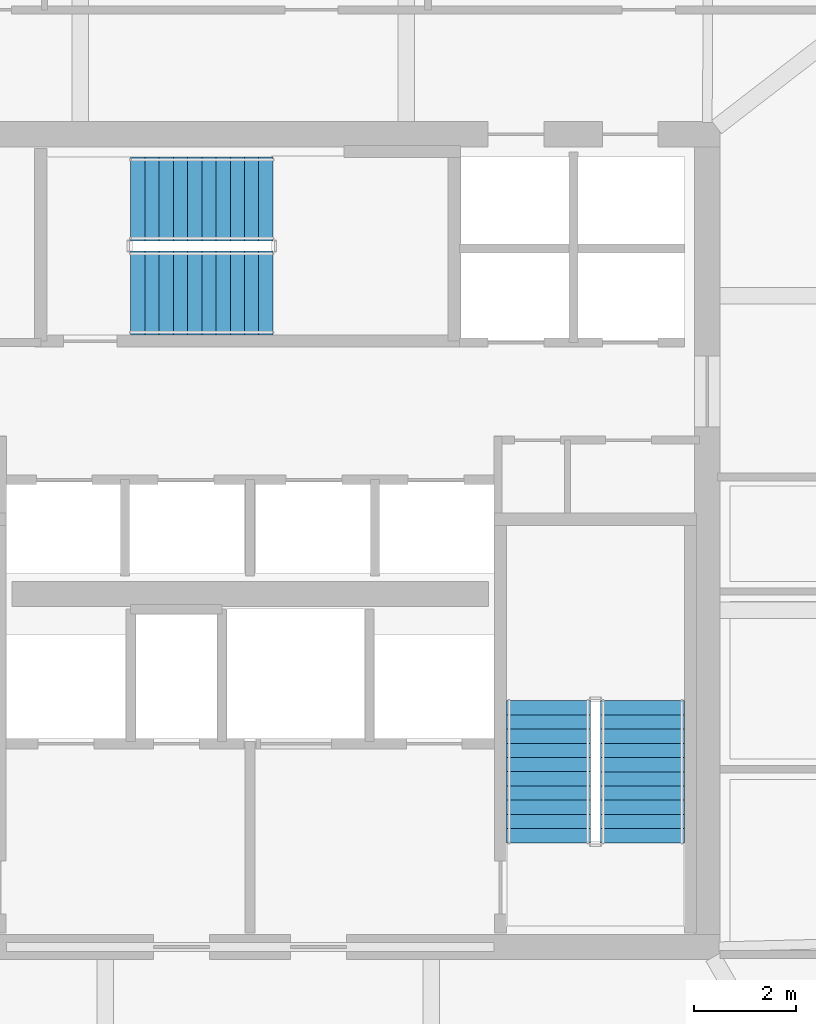
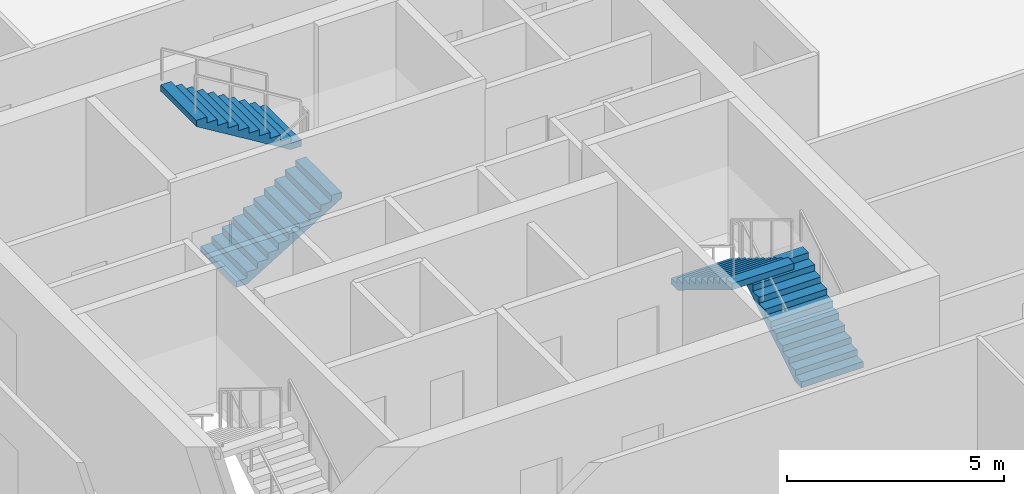
# One storey, part 28 of 33: 4 stair flights, 2 elements without a shape of their own.
"""IFC4 building model written with IfcOpenShell, lengths in metres."""

from ifc_helpers import new_model, si_unit, direction, frame, origin, place, context, subcontext, project, spatial, polyline, outline, extrude, material, type_object, element, aggregate, save


model = new_model("IFC4")

# Units and contexts
model_context = context("Model", 3, precision=1e-05, world=origin(), true_north=direction((0.0, 1.0)))
body_context = subcontext(model_context, "Body", "Model", "MODEL_VIEW")
ifc_project = project(units=[si_unit("LENGTHUNIT", "METRE"), si_unit("AREAUNIT", "SQUARE_METRE"), si_unit("VOLUMEUNIT", "CUBIC_METRE"), si_unit("PLANEANGLEUNIT", "RADIAN"), si_unit("MASSUNIT", "GRAM", prefix="KILO")], contexts=[model_context])

# Site, building, storey
site_placement = place(None, origin())
site = spatial("IfcSite", under=ifc_project, at=site_placement, CompositionType="ELEMENT")
building_placement = place(site_placement, origin())
building = spatial("IfcBuilding", under=site, at=building_placement, Name="Haldenkirk Collegiate Tower", CompositionType="ELEMENT")
storey_placement = place(building_placement, frame((0.0, 0.0, 148.199951171875)))
storey = spatial("IfcBuildingStorey", under=building, at=storey_placement, Name="L36", CompositionType="ELEMENT", Elevation=148.199951171875)

# Stair, stair flights
ifc_material = material(Name="Concrete f'c 40 MPa", Category="concrete")
stair_type = type_object("IfcStairType", Name="STR-DOGLEG-1650", PredefinedType="HALF_TURN_STAIR", material=ifc_material)
stair_1_placement = place(storey_placement, origin())
stair_1 = element("IfcStair", 1, at=stair_1_placement, inside=storey, type_object=stair_type, Name="L36 Core Exit Stair ST-2", PredefinedType="HALF_TURN_STAIR")
stair_flight_type = type_object("IfcStairFlightType", Name="STF-FLIGHT-1650", PredefinedType="STRAIGHT", material=ifc_material)
stair_flight_1_placement = place(storey_placement, frame((43.72509765625, 20.050048828125, 0.0), z_axis=(0.0, 0.0, 1.0), x_axis=(0.0, 1.0, 0.0)))
stair_flight_1 = element("IfcStairFlight", 2, at=stair_flight_1_placement, type_object=stair_flight_type, Name="ST-2 flight 1", NumberOfRisers=11, NumberOfTreads=10, PredefinedType="STRAIGHT", RiserHeight=0.170454545, TreadLength=0.28, context=body_context, shape_type="SweptSolid", body=[
    extrude(outline(polyline([(0.0, 0.0), (0.0, 0.17041015625), (0.280029296875, 0.17041015625), (0.280029296875, 0.3408203125), (0.56005859375, 0.3408203125), (0.56005859375, 0.511474609375), (0.840087890625, 0.511474609375), (0.840087890625, 0.681884765625), (1.1201171875, 0.681884765625), (1.1201171875, 0.852294921875), (1.39990234375, 0.852294921875), (1.39990234375, 1.022705078125), (1.679931640625, 1.022705078125), (1.679931640625, 1.193115234375), (1.9599609375, 1.193115234375), (1.9599609375, 1.363525390625), (2.239990234375, 1.363525390625), (2.239990234375, 1.5341796875), (2.52001953125, 1.5341796875), (2.52001953125, 1.70458984375), (2.800048828125, 1.70458984375), (2.800048828125, 1.875), (2.800048828125, 1.529052734375), (0.288330078125, 0.0), (0.0, 0.0)])), frame((0.0, 0.824951171875, 0.0), z_axis=(0.0, -1.0, 0.0), x_axis=(1.0, 0.0, 0.0)), (0.0, 0.0, 1.0), 1.64990234375),
])
stair_flight_2_placement = place(storey_placement, frame((41.875, 22.85009765625, 1.875), z_axis=(0.0, 0.0, 1.0), x_axis=(0.0, -1.0, 0.0)))
stair_flight_2 = element("IfcStairFlight", 3, at=stair_flight_2_placement, type_object=stair_flight_type, Name="ST-2 flight 2", NumberOfRisers=11, NumberOfTreads=10, PredefinedType="STRAIGHT", RiserHeight=0.170454545, TreadLength=0.28, context=body_context, shape_type="SweptSolid", body=[
    extrude(outline(polyline([(0.0, 0.0), (0.0, 0.17041015625), (0.280029296875, 0.17041015625), (0.280029296875, 0.3408203125), (0.56005859375, 0.3408203125), (0.56005859375, 0.511474609375), (0.840087890625, 0.511474609375), (0.840087890625, 0.681884765625), (1.1201171875, 0.681884765625), (1.1201171875, 0.852294921875), (1.39990234375, 0.852294921875), (1.39990234375, 1.022705078125), (1.679931640625, 1.022705078125), (1.679931640625, 1.193115234375), (1.9599609375, 1.193115234375), (1.9599609375, 1.363525390625), (2.239990234375, 1.363525390625), (2.239990234375, 1.5341796875), (2.52001953125, 1.5341796875), (2.52001953125, 1.70458984375), (2.800048828125, 1.70458984375), (2.800048828125, 1.875), (2.800048828125, 1.529052734375), (0.288330078125, 0.0), (0.0, 0.0)])), frame((0.0, 0.824951171875, 0.0), z_axis=(0.0, -1.0, 0.0), x_axis=(1.0, 0.0, 0.0)), (0.0, 0.0, 1.0), 1.64990234375),
])
aggregate(stair_1, [stair_flight_1, stair_flight_2])

stair_2_placement = place(storey_placement, origin())
stair_2 = element("IfcStair", 4, at=stair_2_placement, inside=storey, type_object=stair_type, Name="L36 Core Exit Stair ST-3", PredefinedType="HALF_TURN_STAIR")
stair_flight_3_placement = place(storey_placement, frame((33.64990234375, 30.875, 0.0), z_axis=(0.0, 0.0, 1.0), x_axis=(1.0, 0.0, 0.0)))
stair_flight_3 = element("IfcStairFlight", 5, at=stair_flight_3_placement, type_object=stair_flight_type, Name="ST-3 flight 1", NumberOfRisers=11, NumberOfTreads=10, PredefinedType="STRAIGHT", RiserHeight=0.170454545, TreadLength=0.28, context=body_context, shape_type="SweptSolid", body=[
    extrude(outline(polyline([(0.0, 0.0), (0.0, 0.17041015625), (0.280029296875, 0.17041015625), (0.280029296875, 0.3408203125), (0.56005859375, 0.3408203125), (0.56005859375, 0.511474609375), (0.840087890625, 0.511474609375), (0.840087890625, 0.681884765625), (1.1201171875, 0.681884765625), (1.1201171875, 0.852294921875), (1.39990234375, 0.852294921875), (1.39990234375, 1.022705078125), (1.679931640625, 1.022705078125), (1.679931640625, 1.193115234375), (1.9599609375, 1.193115234375), (1.9599609375, 1.363525390625), (2.239990234375, 1.363525390625), (2.239990234375, 1.5341796875), (2.52001953125, 1.5341796875), (2.52001953125, 1.70458984375), (2.800048828125, 1.70458984375), (2.800048828125, 1.875), (2.800048828125, 1.529052734375), (0.288330078125, 0.0), (0.0, 0.0)])), frame((0.0, 0.824951171875, 0.0), z_axis=(0.0, -1.0, 0.0), x_axis=(1.0, 0.0, 0.0)), (0.0, 0.0, 1.0), 1.64990234375),
])
stair_flight_4_placement = place(storey_placement, frame((36.449951171875, 32.72509765625, 1.875), z_axis=(0.0, 0.0, 1.0), x_axis=(-1.0, 0.0, 0.0)))
stair_flight_4 = element("IfcStairFlight", 6, at=stair_flight_4_placement, type_object=stair_flight_type, Name="ST-3 flight 2", NumberOfRisers=11, NumberOfTreads=10, PredefinedType="STRAIGHT", RiserHeight=0.170454545, TreadLength=0.28, context=body_context, shape_type="SweptSolid", body=[
    extrude(outline(polyline([(0.0, 0.0), (0.0, 0.17041015625), (0.280029296875, 0.17041015625), (0.280029296875, 0.3408203125), (0.56005859375, 0.3408203125), (0.56005859375, 0.511474609375), (0.840087890625, 0.511474609375), (0.840087890625, 0.681884765625), (1.1201171875, 0.681884765625), (1.1201171875, 0.852294921875), (1.39990234375, 0.852294921875), (1.39990234375, 1.022705078125), (1.679931640625, 1.022705078125), (1.679931640625, 1.193115234375), (1.9599609375, 1.193115234375), (1.9599609375, 1.363525390625), (2.239990234375, 1.363525390625), (2.239990234375, 1.5341796875), (2.52001953125, 1.5341796875), (2.52001953125, 1.70458984375), (2.800048828125, 1.70458984375), (2.800048828125, 1.875), (2.800048828125, 1.529052734375), (0.288330078125, 0.0), (0.0, 0.0)])), frame((0.0, 0.824951171875, 0.0), z_axis=(0.0, -1.0, 0.0), x_axis=(1.0, 0.0, 0.0)), (0.0, 0.0, 1.0), 1.64990234375),
])
aggregate(stair_2, [stair_flight_3, stair_flight_4])

save(model, "model.ifc")
